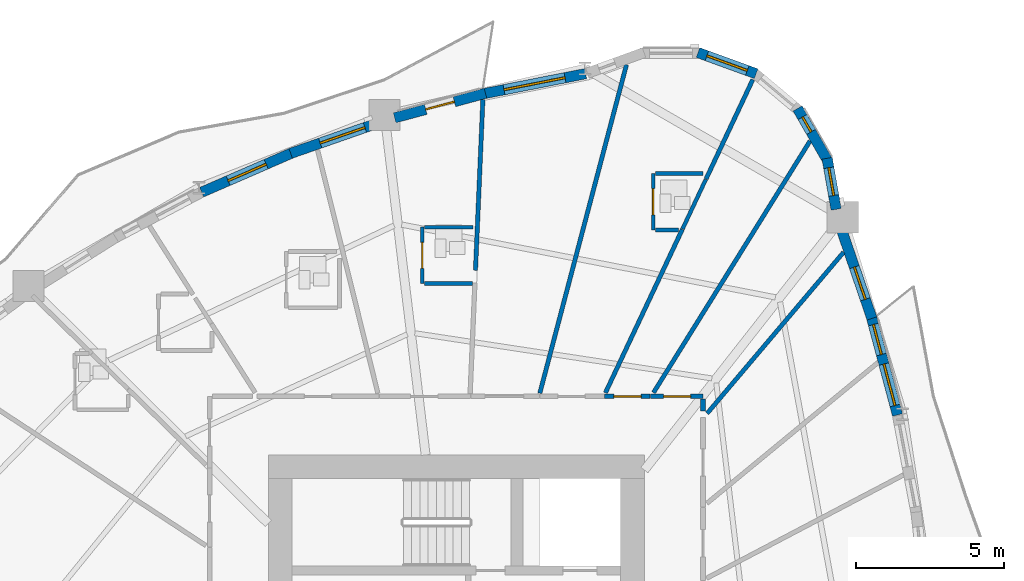
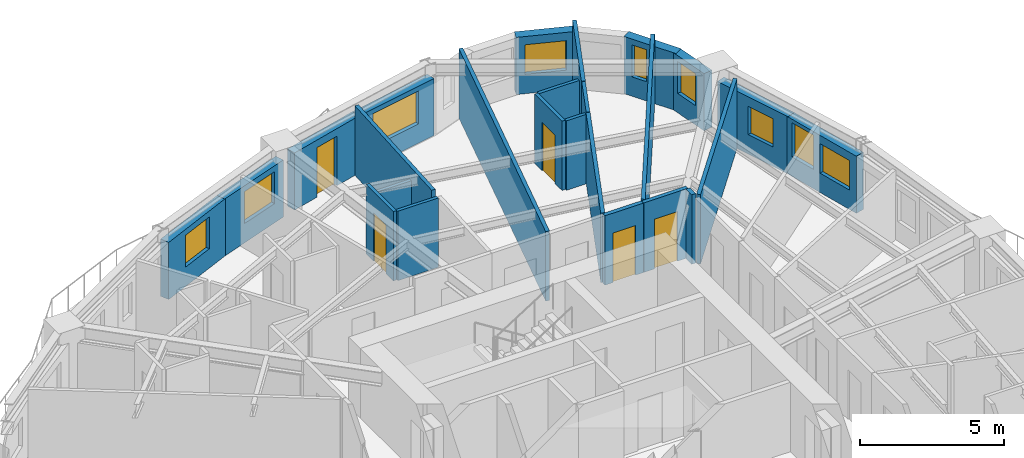
# One storey, part 9 of 14: 25 walls, 9 windows, 5 doors, 14 openings.
"""IFC4 building model written with IfcOpenShell, lengths in metres."""

from ifc_helpers import new_model, si_unit, direction, frame, frame_2d, origin, place, context, subcontext, project, spatial, rectangle, extrude, source, transform, mapped, material, layer, layer_set, type_object, element, fill, save


model = new_model("IFC4")

# Units and contexts
model_context = context("Model", 3, precision=1e-05, world=origin(), true_north=direction((0.0, 1.0)))
body_context = subcontext(model_context, "Body", "Model", "MODEL_VIEW")
ifc_project = project(units=[si_unit("LENGTHUNIT", "METRE"), si_unit("AREAUNIT", "SQUARE_METRE"), si_unit("VOLUMEUNIT", "CUBIC_METRE"), si_unit("PLANEANGLEUNIT", "RADIAN"), si_unit("MASSUNIT", "GRAM", prefix="KILO")], contexts=[model_context])

# Site, building, storey
site_placement = place(None, origin())
site = spatial("IfcSite", under=ifc_project, at=site_placement, CompositionType="ELEMENT")
building_placement = place(site_placement, origin())
building = spatial("IfcBuilding", under=site, at=building_placement, Name="Qafzar Sky-Pleat Residences", CompositionType="ELEMENT")
storey_placement = place(building_placement, frame((0.0, 0.0, 11.0)))
storey = spatial("IfcBuildingStorey", under=building, at=storey_placement, Name="L02", CompositionType="ELEMENT", Elevation=11.0)

# Wall, opening, door
ifc_material_1 = material(Name="Acoustic gypsum plasterboard partition", Category="gypsum")
ifc_layer_1 = layer(ifc_material_1, 0.159912109375)
ifc_layer_set_1 = layer_set([ifc_layer_1], Name="Acoustic gypsum plasterboard partition")
wall_type_1 = type_object("IfcWallType", Name="PART-COR-160", PredefinedType="PARTITIONING", material=ifc_layer_set_1)
wall_1_placement = place(storey_placement, frame((36.9130859375, 36.580078125, 0.0), z_axis=(0.0, 0.0, 1.0), x_axis=(1.0, 0.0, 0.0)))
wall_1 = element("IfcWall", 1, at=wall_1_placement, inside=storey, type_object=wall_type_1, Name="L02 Partition Wall PART-L02-PW-036", PredefinedType="PARTITIONING", context=body_context, shape_type="SweptSolid", body=[
    extrude(rectangle(XDim=1.766845703125, YDim=0.159912109375, at=frame_2d((0.88330078125, 0.0))), origin(), (0.0, 0.0, 1.0), 2.93994140625),
])
opening_1_placement = place(wall_1_placement, frame((0.4326171875, 0.0, 0.0)))
opening_1 = element("IfcOpeningElement", 2, at=opening_1_placement, cuts=wall_1, Name="Opening ID-04", PredefinedType="OPENING", context=body_context, shape_type="SweptSolid", body=[
    extrude(rectangle(XDim=0.919921875, YDim=2.10009765625, at=frame_2d((0.4599609375, 1.050048828125))), frame((0.0, 0.08984375, 0.0), z_axis=(0.0, -1.0, 0.0), x_axis=(1.0, 0.0, 0.0)), (0.0, 0.0, 1.0), 0.179931640625),
])
ifc_material_2 = material(Name="Timber-faced fire door", Category="wood")
door_type_1 = type_object("IfcDoorType", Name="DR-BED-920", OperationType="NOTDEFINED", PredefinedType="DOOR", material=ifc_material_2)
shared_shape_1 = source(origin(), body_context, "Body", "SweptSolid", [
    extrude(rectangle(XDim=0.919921875, YDim=2.10009765625, at=frame_2d((0.4599609375, 1.050048828125))), frame((0.0, 0.02490234375, 0.0), z_axis=(0.0, -1.0, 0.0), x_axis=(1.0, 0.0, 0.0)), (0.0, 0.0, 1.0), 0.050048828125),
])
door_1_placement = place(opening_1_placement, origin())
door_1 = element("IfcDoor", 3, at=door_1_placement, inside=storey, type_object=door_type_1, Name="L02 Co-Living Bedroom 6 Door", OperationType="SINGLE_SWING_LEFT", OverallHeight=2.10009765625, OverallWidth=0.919921875, PredefinedType="DOOR", context=body_context, shape_type="MappedRepresentation", body=[
    mapped(shared_shape_1, transform((0.0, 0.0, 0.0), x_axis=(1.0, 0.0, 0.0), y_axis=(0.0, 1.0, 0.0), z_axis=(0.0, 0.0, 1.0), scale=1.0)),
])
fill(opening_1, door_1)

wall_2_placement = place(storey_placement, frame((35.360107421875, 36.580078125, 0.0), z_axis=(0.0, 0.0, 1.0), x_axis=(1.0, 0.0, 0.0)))
wall_2 = element("IfcWall", 4, at=wall_2_placement, inside=storey, type_object=wall_type_1, Name="L02 Partition Wall PART-L02-PW-038", PredefinedType="PARTITIONING", context=body_context, shape_type="SweptSolid", body=[
    extrude(rectangle(XDim=1.537841796875, YDim=0.159912109375, at=frame_2d((0.76904296875, 0.0))), origin(), (0.0, 0.0, 1.0), 2.93994140625),
])
opening_2_placement = place(wall_2_placement, frame((0.31005859375, 0.0, 0.0)))
opening_2 = element("IfcOpeningElement", 5, at=opening_2_placement, cuts=wall_2, Name="Opening ID-04", PredefinedType="OPENING", context=body_context, shape_type="SweptSolid", body=[
    extrude(rectangle(XDim=0.919921875, YDim=2.10009765625, at=frame_2d((0.4599609375, 1.050048828125))), frame((0.0, 0.08984375, 0.0), z_axis=(0.0, -1.0, 0.0), x_axis=(1.0, 0.0, 0.0)), (0.0, 0.0, 1.0), 0.179931640625),
])
door_2_placement = place(opening_2_placement, origin())
door_2 = element("IfcDoor", 6, at=door_2_placement, inside=storey, type_object=door_type_1, Name="L02 Co-Living Bedroom 5 Door", OperationType="SINGLE_SWING_LEFT", OverallHeight=2.10009765625, OverallWidth=0.919921875, PredefinedType="DOOR", context=body_context, shape_type="MappedRepresentation", body=[
    mapped(shared_shape_1, transform((0.0, 0.0, 0.0), x_axis=(1.0, 0.0, 0.0), y_axis=(0.0, 1.0, 0.0), z_axis=(0.0, 0.0, 1.0), scale=1.0)),
])
fill(opening_2, door_2)

# Walls
wall_3_placement = place(storey_placement, frame((38.679931640625, 36.091796875, 0.0), z_axis=(0.0, 0.0, 1.0), x_axis=(0.0, 1.0, 0.0)))
element("IfcWall", 7, at=wall_3_placement, inside=storey, type_object=wall_type_1, Name="L02 Partition Wall PART-L02-PW-114", PredefinedType="PARTITIONING", context=body_context, shape_type="SweptSolid", body=[
    extrude(rectangle(XDim=0.400146484375, YDim=0.159912109375, at=frame_2d((0.2001953125, 0.0))), origin(), (0.0, 0.0, 1.0), 2.93994140625),
])
ifc_layer_2 = layer(ifc_material_1, 0.14501953125)
ifc_layer_set_2 = layer_set([ifc_layer_2], Name="Acoustic gypsum plasterboard partition")
wall_type_2 = type_object("IfcWallType", Name="PART-UNIT-145", PredefinedType="PARTITIONING", material=ifc_layer_set_2)
wall_4_placement = place(storey_placement, frame((33.1689453125, 36.686279296875, 0.0), z_axis=(0.0, 0.0, 1.0), x_axis=(0.255112522394, 0.966911371801, 0.0)))
element("IfcWall", 8, at=wall_4_placement, inside=storey, type_object=wall_type_2, Name="L02 Partition Wall PART-L02-PW-040", PredefinedType="PARTITIONING", context=body_context, shape_type="SweptSolid", body=[
    extrude(rectangle(XDim=11.468505859375, YDim=0.14501953125, at=frame_2d((5.734375, 0.0))), origin(), (0.0, 0.0, 1.0), 2.93994140625),
])
wall_5_placement = place(storey_placement, frame((37.0087890625, 36.705078125, 0.0), z_axis=(0.0, 0.0, 1.0), x_axis=(0.528183829193, 0.849130050451, 0.0)))
element("IfcWall", 9, at=wall_5_placement, inside=storey, type_object=wall_type_2, Name="L02 Partition Wall PART-L02-PW-044", PredefinedType="PARTITIONING", context=body_context, shape_type="SweptSolid", body=[
    extrude(rectangle(XDim=10.00537109375, YDim=0.14501953125, at=frame_2d((5.002685546875, 0.0))), origin(), (0.0, 0.0, 1.0), 2.93994140625),
])
wall_6_placement = place(storey_placement, frame((38.820556640625, 36.0048828125, 0.0), z_axis=(0.0, 0.0, 1.0), x_axis=(0.646174151972, 0.76318999294, 0.0)))
element("IfcWall", 10, at=wall_6_placement, inside=storey, type_object=wall_type_2, Name="L02 Partition Wall PART-L02-PW-052", PredefinedType="PARTITIONING", context=body_context, shape_type="SweptSolid", body=[
    extrude(rectangle(XDim=7.125, YDim=0.14501953125, at=frame_2d((3.5625, 0.0))), origin(), (0.0, 0.0, 1.0), 2.93994140625),
])
wall_7_placement = place(storey_placement, frame((35.384521484375, 36.697998046875, 0.0), z_axis=(0.0, 0.0, 1.0), x_axis=(0.425687116038, 0.904870421242, 0.0)))
element("IfcWall", 11, at=wall_7_placement, inside=storey, type_object=wall_type_2, Name="L02 Partition Wall PART-L02-PW-053", PredefinedType="PARTITIONING", context=body_context, shape_type="SweptSolid", body=[
    extrude(rectangle(XDim=6.09716796875, YDim=0.14501953125, at=frame_2d((3.048583984375, 0.0))), origin(), (0.0, 0.0, 1.0), 2.93994140625),
])
wall_8_placement = place(storey_placement, frame((30.99609375, 40.8359375, 0.0), z_axis=(0.0, 0.0, 1.0), x_axis=(0.043354544378, 0.999059749706, 0.0)))
element("IfcWall", 12, at=wall_8_placement, inside=storey, type_object=wall_type_2, Name="L02 Partition Wall PART-L02-PW-055", PredefinedType="PARTITIONING", context=body_context, shape_type="SweptSolid", body=[
    extrude(rectangle(XDim=5.766357421875, YDim=0.14501953125, at=frame_2d((2.88330078125, 0.0))), origin(), (0.0, 0.0, 1.0), 2.93994140625),
])
wall_9_placement = place(storey_placement, frame((38.782958984375, 43.9208984375, 0.0), z_axis=(0.0, 0.0, 1.0), x_axis=(0.425698730146, 0.904864957412, 0.0)))
element("IfcWall", 13, at=wall_9_placement, inside=storey, type_object=wall_type_2, Name="L02 Partition Wall PART-L02-PW-063", PredefinedType="PARTITIONING", context=body_context, shape_type="SweptSolid", body=[
    extrude(rectangle(XDim=3.707763671875, YDim=0.14501953125, at=frame_2d((1.85400390625, 0.0))), origin(), (0.0, 0.0, 1.0), 2.93994140625),
])

# Wall, opening, door
ifc_material_3 = material(Name="Moisture-resistant gypsum partition", Category="gypsum")
ifc_layer_3 = layer(ifc_material_3, 0.1298828125)
ifc_layer_set_3 = layer_set([ifc_layer_3], Name="Moisture-resistant gypsum partition")
wall_type_3 = type_object("IfcWallType", Name="PART-WET-130", PredefinedType="PARTITIONING", material=ifc_layer_set_3)
wall_10_placement = place(storey_placement, frame((36.998046875, 44.10009765625, 0.0), z_axis=(0.0, 0.0, 1.0), x_axis=(0.0, -1.0, 0.0)))
wall_10 = element("IfcWall", 14, at=wall_10_placement, inside=storey, type_object=wall_type_3, Name="L02 Partition Wall PART-L02-PW-027", PredefinedType="PARTITIONING", context=body_context, shape_type="SweptSolid", body=[
    extrude(rectangle(XDim=1.900146484375, YDim=0.1298828125, at=frame_2d((0.9501953125, 0.0))), origin(), (0.0, 0.0, 1.0), 2.93994140625),
])
opening_3_placement = place(wall_10_placement, frame((0.510009765625, 0.0, 0.0)))
opening_3 = element("IfcOpeningElement", 15, at=opening_3_placement, cuts=wall_10, Name="Opening ID-07", PredefinedType="OPENING", context=body_context, shape_type="SweptSolid", body=[
    extrude(rectangle(XDim=0.8798828125, YDim=2.050048828125, at=frame_2d((0.43994140625, 1.02490234375))), frame((0.0, 0.074951171875, 0.0), z_axis=(0.0, -1.0, 0.0), x_axis=(1.0, 0.0, 0.0)), (0.0, 0.0, 1.0), 0.14990234375),
])
door_type_2 = type_object("IfcDoorType", Name="DR-WET-880", OperationType="NOTDEFINED", PredefinedType="DOOR", material=ifc_material_2)
shared_shape_2 = source(origin(), body_context, "Body", "SweptSolid", [
    extrude(rectangle(XDim=0.8798828125, YDim=2.050048828125, at=frame_2d((0.43994140625, 1.02490234375))), frame((0.0, 0.02490234375, 0.0), z_axis=(0.0, -1.0, 0.0), x_axis=(1.0, 0.0, 0.0)), (0.0, 0.0, 1.0), 0.050048828125),
])
door_3_placement = place(opening_3_placement, origin())
door_3 = element("IfcDoor", 16, at=door_3_placement, inside=storey, type_object=door_type_2, Name="L02 En-suite Bathroom 7 Door", OperationType="SINGLE_SWING_RIGHT", OverallHeight=2.050048828125, OverallWidth=0.8798828125, PredefinedType="DOOR", context=body_context, shape_type="MappedRepresentation", body=[
    mapped(shared_shape_2, transform((0.0, 0.0, 0.0), x_axis=(1.0, 0.0, 0.0), y_axis=(0.0, 1.0, 0.0), z_axis=(0.0, 0.0, 1.0), scale=1.0)),
])
fill(opening_3, door_3)

wall_11_placement = place(storey_placement, frame((29.198974609375, 42.2919921875, 0.0), z_axis=(0.0, 0.0, 1.0), x_axis=(0.0, -1.0, 0.0)))
wall_11 = element("IfcWall", 17, at=wall_11_placement, inside=storey, type_object=wall_type_3, Name="L02 Partition Wall PART-L02-PW-028", PredefinedType="PARTITIONING", context=body_context, shape_type="SweptSolid", body=[
    extrude(rectangle(XDim=1.89990234375, YDim=0.1298828125, at=frame_2d((0.949951171875, 0.0))), origin(), (0.0, 0.0, 1.0), 2.93994140625),
])
opening_4_placement = place(wall_11_placement, frame((0.510009765625, 0.0, 0.0)))
opening_4 = element("IfcOpeningElement", 18, at=opening_4_placement, cuts=wall_11, Name="Opening ID-07", PredefinedType="OPENING", context=body_context, shape_type="SweptSolid", body=[
    extrude(rectangle(XDim=0.8798828125, YDim=2.050048828125, at=frame_2d((0.43994140625, 1.02490234375))), frame((0.0, 0.074951171875, 0.0), z_axis=(0.0, -1.0, 0.0), x_axis=(1.0, 0.0, 0.0)), (0.0, 0.0, 1.0), 0.14990234375),
])
door_4_placement = place(opening_4_placement, origin())
door_4 = element("IfcDoor", 19, at=door_4_placement, inside=storey, type_object=door_type_2, Name="L02 En-suite Bathroom 8 Door", OperationType="SINGLE_SWING_LEFT", OverallHeight=2.050048828125, OverallWidth=0.8798828125, PredefinedType="DOOR", context=body_context, shape_type="MappedRepresentation", body=[
    mapped(shared_shape_2, transform((0.0, 0.0, 0.0), x_axis=(1.0, 0.0, 0.0), y_axis=(0.0, 1.0, 0.0), z_axis=(0.0, 0.0, 1.0), scale=1.0)),
])
fill(opening_4, door_4)

# Walls
wall_12_placement = place(storey_placement, frame((37.986572265625, 42.228515625, 0.0), z_axis=(0.0, 0.0, 1.0), x_axis=(0.425771690569, 0.904830629184, 0.0)))
element("IfcWall", 20, at=wall_12_placement, inside=storey, type_object=wall_type_3, Name="L02 Partition Wall PART-L02-PW-077", PredefinedType="PARTITIONING", context=body_context, shape_type="SweptSolid", body=[
    extrude(rectangle(XDim=1.85546875, YDim=0.1298828125, at=frame_2d((0.927734375, 0.0))), origin(), (0.0, 0.0, 1.0), 2.93994140625),
])
wall_13_placement = place(storey_placement, frame((37.071044921875, 44.10009765625, 0.0), z_axis=(0.0, 0.0, 1.0), x_axis=(1.0, 0.0, 0.0)))
element("IfcWall", 21, at=wall_13_placement, inside=storey, type_object=wall_type_3, Name="L02 Partition Wall PART-L02-PW-080", PredefinedType="PARTITIONING", context=body_context, shape_type="SweptSolid", body=[
    extrude(rectangle(XDim=1.608154296875, YDim=0.1298828125, at=frame_2d((0.80419921875, 0.0))), origin(), (0.0, 0.0, 1.0), 2.93994140625),
])
wall_14_placement = place(storey_placement, frame((29.27197265625, 42.2919921875, 0.0), z_axis=(0.0, 0.0, 1.0), x_axis=(1.0, 0.0, 0.0)))
element("IfcWall", 22, at=wall_14_placement, inside=storey, type_object=wall_type_3, Name="L02 Partition Wall PART-L02-PW-086", PredefinedType="PARTITIONING", context=body_context, shape_type="SweptSolid", body=[
    extrude(rectangle(XDim=1.6435546875, YDim=0.1298828125, at=frame_2d((0.82177734375, 0.0))), origin(), (0.0, 0.0, 1.0), 2.508056640625),
])
wall_15_placement = place(storey_placement, frame((29.27197265625, 40.39208984375, 0.0), z_axis=(0.0, 0.0, 1.0), x_axis=(1.0, 0.0, 0.0)))
element("IfcWall", 23, at=wall_15_placement, inside=storey, type_object=wall_type_3, Name="L02 Partition Wall PART-L02-PW-092", PredefinedType="PARTITIONING", context=body_context, shape_type="SweptSolid", body=[
    extrude(rectangle(XDim=1.62060546875, YDim=0.1298828125, at=frame_2d((0.810302734375, 0.0))), origin(), (0.0, 0.0, 1.0), 2.93994140625),
])
wall_16_placement = place(storey_placement, frame((37.071044921875, 42.199951171875, 0.0), z_axis=(0.0, 0.0, 1.0), x_axis=(1.0, 0.0, 0.0)))
element("IfcWall", 24, at=wall_16_placement, inside=storey, type_object=wall_type_3, Name="L02 Partition Wall PART-L02-PW-109", PredefinedType="PARTITIONING", context=body_context, shape_type="SweptSolid", body=[
    extrude(rectangle(XDim=0.783203125, YDim=0.1298828125, at=frame_2d((0.3916015625, 0.0))), origin(), (0.0, 0.0, 1.0), 2.93994140625),
])

# Wall, openings, windows
ifc_material_4 = material(Name="Precast concrete C40/50 with honed Riyadh limestone", Category="concrete")
ifc_layer_4 = layer(ifc_material_4, 0.35009765625)
ifc_layer_set_4 = layer_set([ifc_layer_4], Name="Precast concrete C40/50 with honed Riyadh limestone")
wall_type_4 = type_object("IfcWallType", Name="WALL-EXT-350", PredefinedType="SOLIDWALL", material=ifc_layer_set_4)
wall_17_placement = place(storey_placement, frame((45.24755859375, 35.950927734375, 0.0), z_axis=(0.0, 0.0, 1.0), x_axis=(-0.25703883136, 0.966401075731, 0.0)))
wall_17 = element("IfcWall", 25, at=wall_17_placement, inside=storey, type_object=wall_type_4, Name="L02 Limestone Facade Wall 31", PredefinedType="SOLIDWALL", context=body_context, shape_type="SweptSolid", body=[
    extrude(rectangle(XDim=3.459228515625, YDim=0.35009765625, at=frame_2d((1.7294921875, 0.0))), origin(), (0.0, 0.0, 1.0), 2.419921875),
])
opening_5_placement = place(wall_17_placement, frame((0.329345703125, 0.0, 0.820068359375)))
opening_5 = element("IfcOpeningElement", 26, at=opening_5_placement, cuts=wall_17, Name="Opening WN-15", PredefinedType="OPENING", context=body_context, shape_type="SweptSolid", body=[
    extrude(rectangle(XDim=1.449951171875, YDim=1.25, at=frame_2d((0.72509765625, 0.625))), frame((0.0, 0.18505859375, 0.0), z_axis=(0.0, -1.0, 0.0), x_axis=(1.0, 0.0, 0.0)), (0.0, 0.0, 1.0), 0.3701171875),
])
opening_6_placement = place(wall_17_placement, frame((2.109130859375, 0.0, 0.820068359375)))
opening_6 = element("IfcOpeningElement", 27, at=opening_6_placement, cuts=wall_17, Name="Opening WN-06", PredefinedType="OPENING", context=body_context, shape_type="SweptSolid", body=[
    extrude(rectangle(XDim=1.050048828125, YDim=1.449951171875, at=frame_2d((0.52490234375, 0.72509765625))), frame((0.0, 0.18505859375, 0.0), z_axis=(0.0, -1.0, 0.0), x_axis=(1.0, 0.0, 0.0)), (0.0, 0.0, 1.0), 0.3701171875),
])
ifc_material_5 = material(Name="Solar-control low-E glass in bronze aluminium frame", Category="glass")
window_type_1 = type_object("IfcWindowType", Name="WIN-15", PartitioningType="SINGLE_PANEL", PredefinedType="WINDOW", material=ifc_material_5)
shared_shape_3 = source(origin(), body_context, "Body", "SweptSolid", [
    extrude(rectangle(XDim=1.449951171875, YDim=1.25, at=frame_2d((0.72509765625, 0.625))), frame((0.0, 0.030029296875, 0.0), z_axis=(0.0, -1.0, 0.0), x_axis=(1.0, 0.0, 0.0)), (0.0, 0.0, 1.0), 0.06005859375),
])
window_1_placement = place(opening_5_placement, origin())
window_1 = element("IfcWindow", 28, at=window_1_placement, inside=storey, type_object=window_type_1, Name="L02 Punched Facade Window 31", OverallHeight=1.25, OverallWidth=1.449951171875, PartitioningType="SINGLE_PANEL", PredefinedType="WINDOW", context=body_context, shape_type="MappedRepresentation", body=[
    mapped(shared_shape_3, transform((0.0, 0.0, 0.0), x_axis=(1.0, 0.0, 0.0), y_axis=(0.0, 1.0, 0.0), z_axis=(0.0, 0.0, 1.0), scale=1.0)),
])
fill(opening_5, window_1)
window_type_2 = type_object("IfcWindowType", Name="WIN-06", PartitioningType="SINGLE_PANEL", PredefinedType="WINDOW", material=ifc_material_5)
shared_shape_4 = source(origin(), body_context, "Body", "SweptSolid", [
    extrude(rectangle(XDim=1.050048828125, YDim=1.449951171875, at=frame_2d((0.52490234375, 0.72509765625))), frame((0.0, 0.030029296875, 0.0), z_axis=(0.0, -1.0, 0.0), x_axis=(1.0, 0.0, 0.0)), (0.0, 0.0, 1.0), 0.06005859375),
])
window_2_placement = place(opening_6_placement, origin())
window_2 = element("IfcWindow", 29, at=window_2_placement, inside=storey, type_object=window_type_2, Name="L02 Punched Facade Window 31-2", OverallHeight=1.449951171875, OverallWidth=1.050048828125, PartitioningType="SINGLE_PANEL", PredefinedType="WINDOW", context=body_context, shape_type="MappedRepresentation", body=[
    mapped(shared_shape_4, transform((0.0, 0.0, 0.0), x_axis=(1.0, 0.0, 0.0), y_axis=(0.0, 1.0, 0.0), z_axis=(0.0, 0.0, 1.0), scale=1.0)),
])
fill(opening_6, window_2)

# Wall, opening, window
wall_18_placement = place(storey_placement, frame((44.384033203125, 39.209716796875, 0.0), z_axis=(0.0, 0.0, 1.0), x_axis=(-0.323604561993, 0.946192415663, 0.0)))
wall_18 = element("IfcWall", 30, at=wall_18_placement, inside=storey, type_object=wall_type_4, Name="L02 Limestone Facade Wall 32", PredefinedType="SOLIDWALL", context=body_context, shape_type="SweptSolid", body=[
    extrude(rectangle(XDim=3.25244140625, YDim=0.35009765625, at=frame_2d((1.626220703125, 0.0))), origin(), (0.0, 0.0, 1.0), 2.419921875),
])
opening_7_placement = place(wall_18_placement, frame((0.6826171875, 0.0, 0.820068359375)))
opening_7 = element("IfcOpeningElement", 31, at=opening_7_placement, cuts=wall_18, Name="Opening WN-16", PredefinedType="OPENING", context=body_context, shape_type="SweptSolid", body=[
    extrude(rectangle(XDim=1.14990234375, YDim=1.199951171875, at=frame_2d((0.574951171875, 0.60009765625))), frame((0.0, 0.18505859375, 0.0), z_axis=(0.0, -1.0, 0.0), x_axis=(1.0, 0.0, 0.0)), (0.0, 0.0, 1.0), 0.3701171875),
])
window_type_3 = type_object("IfcWindowType", Name="WIN-16", PartitioningType="SINGLE_PANEL", PredefinedType="WINDOW", material=ifc_material_5)
shared_shape_5 = source(origin(), body_context, "Body", "SweptSolid", [
    extrude(rectangle(XDim=1.14990234375, YDim=1.199951171875, at=frame_2d((0.574951171875, 0.60009765625))), frame((0.0, 0.030029296875, 0.0), z_axis=(0.0, -1.0, 0.0), x_axis=(1.0, 0.0, 0.0)), (0.0, 0.0, 1.0), 0.06005859375),
])
window_3_placement = place(opening_7_placement, origin())
window_3 = element("IfcWindow", 32, at=window_3_placement, inside=storey, type_object=window_type_3, Name="L02 Punched Facade Window 32", OverallHeight=1.199951171875, OverallWidth=1.14990234375, PartitioningType="SINGLE_PANEL", PredefinedType="WINDOW", context=body_context, shape_type="MappedRepresentation", body=[
    mapped(shared_shape_5, transform((0.0, 0.0, 0.0), x_axis=(1.0, 0.0, 0.0), y_axis=(0.0, 1.0, 0.0), z_axis=(0.0, 0.0, 1.0), scale=1.0)),
])
fill(opening_7, window_3)

wall_19_placement = place(storey_placement, frame((43.175537109375, 42.892822265625, 0.0), z_axis=(0.0, 0.0, 1.0), x_axis=(-0.173610462023, 0.984814402553, 0.0)))
wall_19 = element("IfcWall", 33, at=wall_19_placement, inside=storey, type_object=wall_type_4, Name="L02 Limestone Facade Wall 33", PredefinedType="SOLIDWALL", context=body_context, shape_type="SweptSolid", body=[
    extrude(rectangle(XDim=1.752197265625, YDim=0.35009765625, at=frame_2d((0.8759765625, 0.0))), origin(), (0.0, 0.0, 1.0), 2.419921875),
])
opening_8_placement = place(wall_19_placement, frame((0.476318359375, 0.0, 0.820068359375)))
opening_8 = element("IfcOpeningElement", 34, at=opening_8_placement, cuts=wall_19, Name="Opening WN-12", PredefinedType="OPENING", context=body_context, shape_type="SweptSolid", body=[
    extrude(rectangle(XDim=0.949951171875, YDim=1.35009765625, at=frame_2d((0.47509765625, 0.675048828125))), frame((0.0, 0.18505859375, 0.0), z_axis=(0.0, -1.0, 0.0), x_axis=(1.0, 0.0, 0.0)), (0.0, 0.0, 1.0), 0.3701171875),
])
window_type_4 = type_object("IfcWindowType", Name="WIN-12", PartitioningType="SINGLE_PANEL", PredefinedType="WINDOW", material=ifc_material_5)
shared_shape_6 = source(origin(), body_context, "Body", "SweptSolid", [
    extrude(rectangle(XDim=0.949951171875, YDim=1.35009765625, at=frame_2d((0.47509765625, 0.675048828125))), frame((0.0, 0.030029296875, 0.0), z_axis=(0.0, -1.0, 0.0), x_axis=(1.0, 0.0, 0.0)), (0.0, 0.0, 1.0), 0.06005859375),
])
window_4_placement = place(opening_8_placement, origin())
window_4 = element("IfcWindow", 35, at=window_4_placement, inside=storey, type_object=window_type_4, Name="L02 Punched Facade Window 33", OverallHeight=1.35009765625, OverallWidth=0.949951171875, PartitioningType="SINGLE_PANEL", PredefinedType="WINDOW", context=body_context, shape_type="MappedRepresentation", body=[
    mapped(shared_shape_6, transform((0.0, 0.0, 0.0), x_axis=(1.0, 0.0, 0.0), y_axis=(0.0, 1.0, 0.0), z_axis=(0.0, 0.0, 1.0), scale=1.0)),
])
fill(opening_8, window_4)

wall_20_placement = place(storey_placement, frame((42.91748046875, 44.490966796875, 0.0), z_axis=(0.0, 0.0, 1.0), x_axis=(-0.49990781971, 0.866078617559, 0.0)))
wall_20 = element("IfcWall", 36, at=wall_20_placement, inside=storey, type_object=wall_type_4, Name="L02 Limestone Facade Wall 34", PredefinedType="SOLIDWALL", context=body_context, shape_type="SweptSolid", body=[
    extrude(rectangle(XDim=2.09033203125, YDim=0.35009765625, at=frame_2d((1.045166015625, 0.0))), origin(), (0.0, 0.0, 1.0), 2.419921875),
])
opening_9_placement = place(wall_20_placement, frame((1.17529296875, 0.0, 0.820068359375)))
opening_9 = element("IfcOpeningElement", 37, at=opening_9_placement, cuts=wall_20, Name="Opening WN-17", PredefinedType="OPENING", context=body_context, shape_type="SweptSolid", body=[
    extrude(rectangle(XDim=0.580078125, YDim=1.35009765625, at=frame_2d((0.2900390625, 0.675048828125))), frame((0.0, 0.18505859375, 0.0), z_axis=(0.0, -1.0, 0.0), x_axis=(1.0, 0.0, 0.0)), (0.0, 0.0, 1.0), 0.3701171875),
])
window_type_5 = type_object("IfcWindowType", Name="WIN-17", PartitioningType="SINGLE_PANEL", PredefinedType="WINDOW", material=ifc_material_5)
shared_shape_7 = source(origin(), body_context, "Body", "SweptSolid", [
    extrude(rectangle(XDim=0.580078125, YDim=1.35009765625, at=frame_2d((0.2900390625, 0.675048828125))), frame((0.0, 0.030029296875, 0.0), z_axis=(0.0, -1.0, 0.0), x_axis=(1.0, 0.0, 0.0)), (0.0, 0.0, 1.0), 0.06005859375),
])
window_5_placement = place(opening_9_placement, origin())
window_5 = element("IfcWindow", 38, at=window_5_placement, inside=storey, type_object=window_type_5, Name="L02 Punched Facade Window 34-2", OverallHeight=1.35009765625, OverallWidth=0.580078125, PartitioningType="SINGLE_PANEL", PredefinedType="WINDOW", context=body_context, shape_type="MappedRepresentation", body=[
    mapped(shared_shape_7, transform((0.0, 0.0, 0.0), x_axis=(1.0, 0.0, 0.0), y_axis=(0.0, 1.0, 0.0), z_axis=(0.0, 0.0, 1.0), scale=1.0)),
])
fill(opening_9, window_5)

wall_21_placement = place(storey_placement, frame((40.475830078125, 47.47314453125, 0.0), z_axis=(0.0, 0.0, 1.0), x_axis=(-0.939660353162, 0.342108784886, 0.0)))
wall_21 = element("IfcWall", 39, at=wall_21_placement, inside=storey, type_object=wall_type_4, Name="L02 Limestone Facade Wall 36", PredefinedType="SOLIDWALL", context=body_context, shape_type="SweptSolid", body=[
    extrude(rectangle(XDim=2.09033203125, YDim=0.35009765625, at=frame_2d((1.045166015625, 0.0))), origin(), (0.0, 0.0, 1.0), 2.419921875),
])
opening_10_placement = place(wall_21_placement, frame((0.3203125, 0.0, 0.820068359375)))
opening_10 = element("IfcOpeningElement", 40, at=opening_10_placement, cuts=wall_21, Name="Opening WN-15", PredefinedType="OPENING", context=body_context, shape_type="SweptSolid", body=[
    extrude(rectangle(XDim=1.449951171875, YDim=1.25, at=frame_2d((0.72509765625, 0.625))), frame((0.0, 0.18505859375, 0.0), z_axis=(0.0, -1.0, 0.0), x_axis=(1.0, 0.0, 0.0)), (0.0, 0.0, 1.0), 0.3701171875),
])
window_6_placement = place(opening_10_placement, origin())
window_6 = element("IfcWindow", 41, at=window_6_placement, inside=storey, type_object=window_type_1, Name="L02 Punched Facade Window 36", OverallHeight=1.25, OverallWidth=1.449951171875, PartitioningType="SINGLE_PANEL", PredefinedType="WINDOW", context=body_context, shape_type="MappedRepresentation", body=[
    mapped(shared_shape_3, transform((0.0, 0.0, 0.0), x_axis=(1.0, 0.0, 0.0), y_axis=(0.0, 1.0, 0.0), z_axis=(0.0, 0.0, 1.0), scale=1.0)),
])
fill(opening_10, window_6)

wall_22_placement = place(storey_placement, frame((34.714111328125, 47.47509765625, 0.0), z_axis=(0.0, 0.0, 1.0), x_axis=(-0.981221268425, -0.192885516282, 0.0)))
wall_22 = element("IfcWall", 42, at=wall_22_placement, inside=storey, type_object=wall_type_4, Name="L02 Limestone Facade Wall 39", PredefinedType="SOLIDWALL", context=body_context, shape_type="SweptSolid", body=[
    extrude(rectangle(XDim=3.53271484375, YDim=0.35009765625, at=frame_2d((1.766357421875, 0.0))), origin(), (0.0, 0.0, 1.0), 2.419921875),
])
opening_11_placement = place(wall_22_placement, frame((0.706298828125, 0.0, 0.820068359375)))
opening_11 = element("IfcOpeningElement", 43, at=opening_11_placement, cuts=wall_22, Name="Opening WN-07", PredefinedType="OPENING", context=body_context, shape_type="SweptSolid", body=[
    extrude(rectangle(XDim=2.10009765625, YDim=1.39990234375, at=frame_2d((1.050048828125, 0.699951171875))), frame((0.0, 0.18505859375, 0.0), z_axis=(0.0, -1.0, 0.0), x_axis=(1.0, 0.0, 0.0)), (0.0, 0.0, 1.0), 0.3701171875),
])
window_type_6 = type_object("IfcWindowType", Name="WIN-07", PartitioningType="DOUBLE_PANEL_VERTICAL", PredefinedType="WINDOW", material=ifc_material_5)
shared_shape_8 = source(origin(), body_context, "Body", "SweptSolid", [
    extrude(rectangle(XDim=2.10009765625, YDim=1.39990234375, at=frame_2d((1.050048828125, 0.699951171875))), frame((0.0, 0.030029296875, 0.0), z_axis=(0.0, -1.0, 0.0), x_axis=(1.0, 0.0, 0.0)), (0.0, 0.0, 1.0), 0.06005859375),
])
window_7_placement = place(opening_11_placement, origin())
window_7 = element("IfcWindow", 44, at=window_7_placement, inside=storey, type_object=window_type_6, Name="L02 Punched Facade Window 39", OverallHeight=1.39990234375, OverallWidth=2.10009765625, PartitioningType="SINGLE_PANEL", PredefinedType="WINDOW", context=body_context, shape_type="MappedRepresentation", body=[
    mapped(shared_shape_8, transform((0.0, 0.0, 0.0), x_axis=(1.0, 0.0, 0.0), y_axis=(0.0, 1.0, 0.0), z_axis=(0.0, 0.0, 1.0), scale=1.0)),
])
fill(opening_11, window_7)

# Wall, opening, door
wall_23_placement = place(storey_placement, frame((31.33349609375, 46.813720703125, 0.0), z_axis=(0.0, 0.0, 1.0), x_axis=(-0.965456905924, -0.260562780926, 0.0)))
wall_23 = element("IfcWall", 45, at=wall_23_placement, inside=storey, type_object=wall_type_4, Name="L02 Limestone Facade Wall 40", PredefinedType="SOLIDWALL", context=body_context, shape_type="SweptSolid", body=[
    extrude(rectangle(XDim=3.17919921875, YDim=0.35009765625, at=frame_2d((1.589599609375, 0.0))), origin(), (0.0, 0.0, 1.0), 2.419921875),
])
opening_12_placement = place(wall_23_placement, frame((1.089599609375, 0.0, 0.0)))
opening_12 = element("IfcOpeningElement", 46, at=opening_12_placement, cuts=wall_23, Name="Opening ED-05", PredefinedType="OPENING", context=body_context, shape_type="SweptSolid", body=[
    extrude(rectangle(XDim=1.0, YDim=2.10009765625, at=frame_2d((0.5, 1.050048828125))), frame((0.0, 0.18505859375, 0.0), z_axis=(0.0, -1.0, 0.0), x_axis=(1.0, 0.0, 0.0)), (0.0, 0.0, 1.0), 0.3701171875),
])
ifc_material_6 = material(Name="Glazed bronze aluminium door", Category="aluminium")
door_type_3 = type_object("IfcDoorType", Name="DR-BAL-1000", OperationType="NOTDEFINED", PredefinedType="DOOR", material=ifc_material_6)
shared_shape_9 = source(origin(), body_context, "Body", "SweptSolid", [
    extrude(rectangle(XDim=1.0, YDim=2.10009765625, at=frame_2d((0.5, 1.050048828125))), frame((0.0, 0.02490234375, 0.0), z_axis=(0.0, -1.0, 0.0), x_axis=(1.0, 0.0, 0.0)), (0.0, 0.0, 1.0), 0.050048828125),
])
door_5_placement = place(opening_12_placement, origin())
door_5 = element("IfcDoor", 47, at=door_5_placement, inside=storey, type_object=door_type_3, Name="L02 Glazed Balcony Door 2", OperationType="SINGLE_SWING_LEFT", OverallHeight=2.10009765625, OverallWidth=1.0, PredefinedType="DOOR", context=body_context, shape_type="MappedRepresentation", body=[
    mapped(shared_shape_9, transform((0.0, 0.0, 0.0), x_axis=(1.0, 0.0, 0.0), y_axis=(0.0, 1.0, 0.0), z_axis=(0.0, 0.0, 1.0), scale=1.0)),
])
fill(opening_12, door_5)

# Wall, opening, window
wall_24_placement = place(storey_placement, frame((27.703369140625, 45.81201171875, 0.0), z_axis=(0.0, 0.0, 1.0), x_axis=(-0.944149283204, -0.329518028377, 0.0)))
wall_24 = element("IfcWall", 48, at=wall_24_placement, inside=storey, type_object=wall_type_4, Name="L02 Limestone Facade Wall 41", PredefinedType="SOLIDWALL", context=body_context, shape_type="SweptSolid", body=[
    extrude(rectangle(XDim=3.122802734375, YDim=0.35009765625, at=frame_2d((1.5615234375, 0.0))), origin(), (0.0, 0.0, 1.0), 2.419921875),
])
opening_13_placement = place(wall_24_placement, frame((0.467529296875, 0.0, 0.820068359375)))
opening_13 = element("IfcOpeningElement", 49, at=opening_13_placement, cuts=wall_24, Name="Opening WN-09", PredefinedType="OPENING", context=body_context, shape_type="SweptSolid", body=[
    extrude(rectangle(XDim=1.60009765625, YDim=1.35009765625, at=frame_2d((0.800048828125, 0.675048828125))), frame((0.0, 0.18505859375, 0.0), z_axis=(0.0, -1.0, 0.0), x_axis=(1.0, 0.0, 0.0)), (0.0, 0.0, 1.0), 0.3701171875),
])
window_type_7 = type_object("IfcWindowType", Name="WIN-09", PartitioningType="DOUBLE_PANEL_VERTICAL", PredefinedType="WINDOW", material=ifc_material_5)
shared_shape_10 = source(origin(), body_context, "Body", "SweptSolid", [
    extrude(rectangle(XDim=1.60009765625, YDim=1.35009765625, at=frame_2d((0.800048828125, 0.675048828125))), frame((0.0, 0.030029296875, 0.0), z_axis=(0.0, -1.0, 0.0), x_axis=(1.0, 0.0, 0.0)), (0.0, 0.0, 1.0), 0.06005859375),
])
window_8_placement = place(opening_13_placement, origin())
window_8 = element("IfcWindow", 50, at=window_8_placement, inside=storey, type_object=window_type_7, Name="L02 Punched Facade Window 41", OverallHeight=1.35009765625, OverallWidth=1.60009765625, PartitioningType="SINGLE_PANEL", PredefinedType="WINDOW", context=body_context, shape_type="MappedRepresentation", body=[
    mapped(shared_shape_10, transform((0.0, 0.0, 0.0), x_axis=(1.0, 0.0, 0.0), y_axis=(0.0, 1.0, 0.0), z_axis=(0.0, 0.0, 1.0), scale=1.0)),
])
fill(opening_13, window_8)

wall_25_placement = place(storey_placement, frame((24.837646484375, 44.815185546875, 0.0), z_axis=(0.0, 0.0, 1.0), x_axis=(-0.917087357706, -0.398686315712, 0.0)))
wall_25 = element("IfcWall", 51, at=wall_25_placement, inside=storey, type_object=wall_type_4, Name="L02 Limestone Facade Wall 42", PredefinedType="SOLIDWALL", context=body_context, shape_type="SweptSolid", body=[
    extrude(rectangle(XDim=3.364990234375, YDim=0.35009765625, at=frame_2d((1.6826171875, 0.0))), origin(), (0.0, 0.0, 1.0), 2.419921875),
])
opening_14_placement = place(wall_25_placement, frame((0.992431640625, 0.0, 0.820068359375)))
opening_14 = element("IfcOpeningElement", 52, at=opening_14_placement, cuts=wall_25, Name="Opening WN-10", PredefinedType="OPENING", context=body_context, shape_type="SweptSolid", body=[
    extrude(rectangle(XDim=1.39990234375, YDim=1.35009765625, at=frame_2d((0.699951171875, 0.675048828125))), frame((0.0, 0.18505859375, 0.0), z_axis=(0.0, -1.0, 0.0), x_axis=(1.0, 0.0, 0.0)), (0.0, 0.0, 1.0), 0.3701171875),
])
window_type_8 = type_object("IfcWindowType", Name="WIN-10", PartitioningType="SINGLE_PANEL", PredefinedType="WINDOW", material=ifc_material_5)
shared_shape_11 = source(origin(), body_context, "Body", "SweptSolid", [
    extrude(rectangle(XDim=1.39990234375, YDim=1.35009765625, at=frame_2d((0.699951171875, 0.675048828125))), frame((0.0, 0.030029296875, 0.0), z_axis=(0.0, -1.0, 0.0), x_axis=(1.0, 0.0, 0.0)), (0.0, 0.0, 1.0), 0.06005859375),
])
window_9_placement = place(opening_14_placement, origin())
window_9 = element("IfcWindow", 53, at=window_9_placement, inside=storey, type_object=window_type_8, Name="L02 Punched Facade Window 42", OverallHeight=1.35009765625, OverallWidth=1.39990234375, PartitioningType="SINGLE_PANEL", PredefinedType="WINDOW", context=body_context, shape_type="MappedRepresentation", body=[
    mapped(shared_shape_11, transform((0.0, 0.0, 0.0), x_axis=(1.0, 0.0, 0.0), y_axis=(0.0, 1.0, 0.0), z_axis=(0.0, 0.0, 1.0), scale=1.0)),
])
fill(opening_14, window_9)

save(model, "model.ifc")
